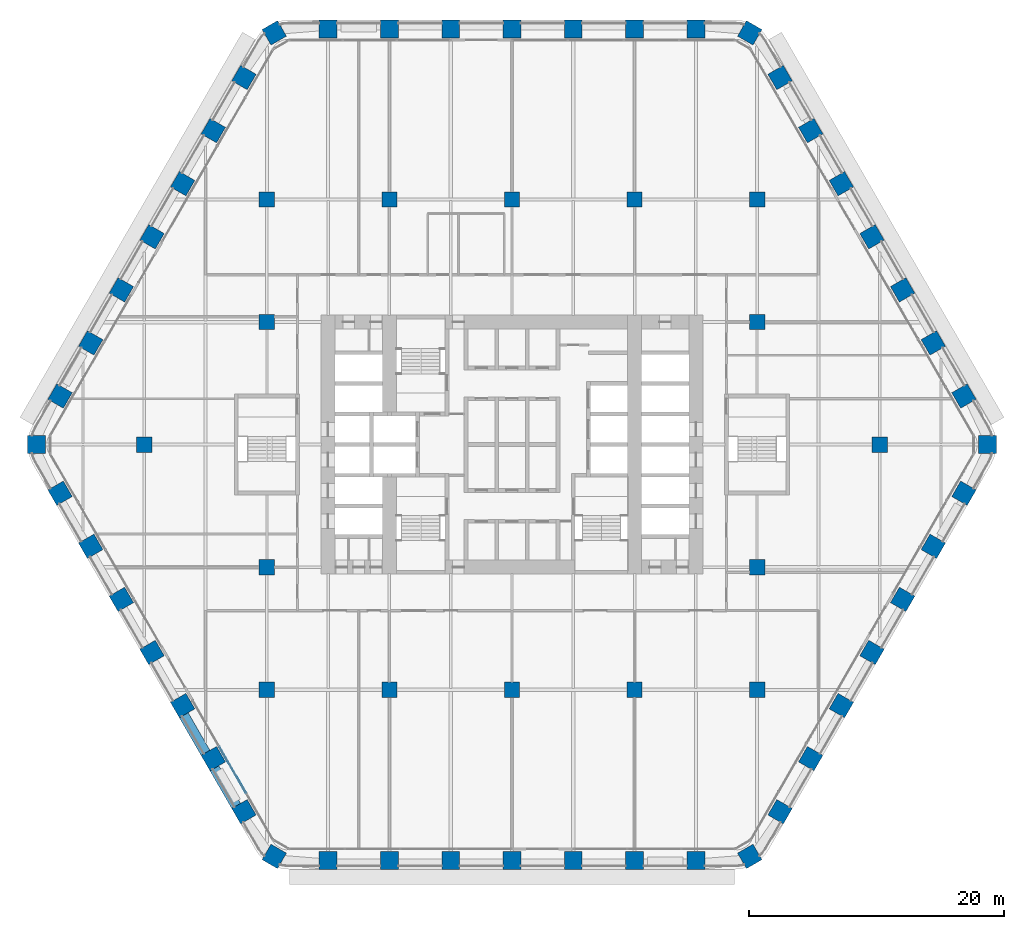
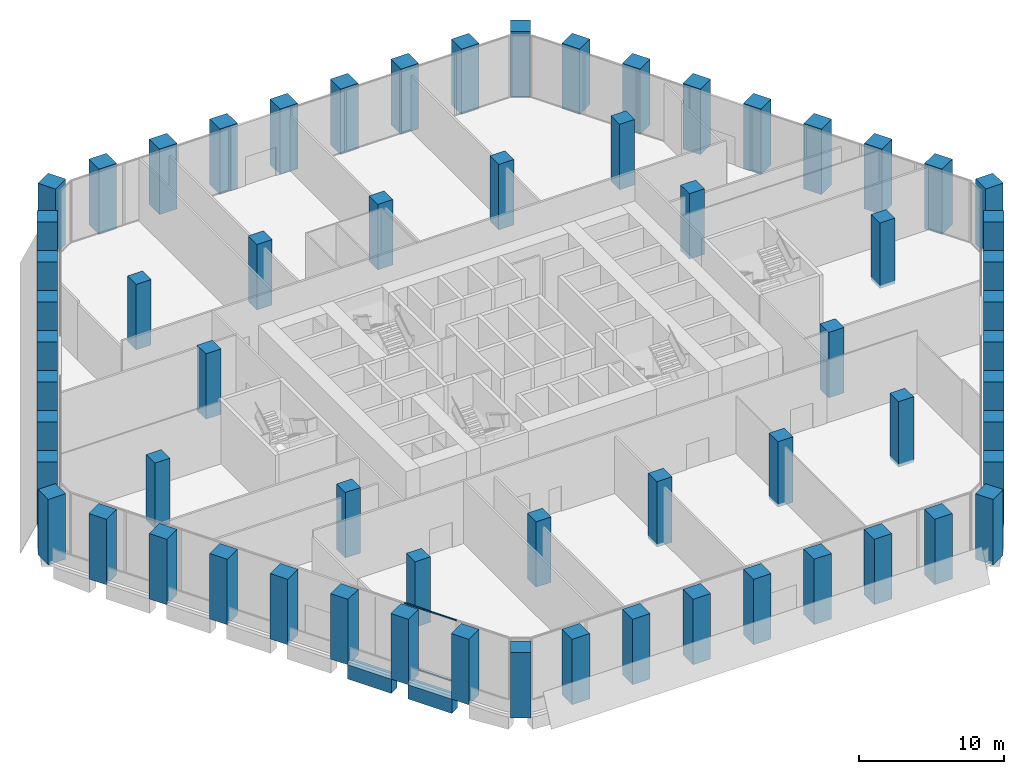
# One storey, part 1 of 27: 64 columns, 2 beams, 2 members, 1 element without a shape of its own.
"""IFC4 building model written with IfcOpenShell, lengths in metres."""

from ifc_helpers import new_model, si_unit, direction, frame, origin, origin_2d, place, context, subcontext, project, spatial, rectangle, extrude, material, material_profile, profile_set, type_object, element, aggregate, save


model = new_model("IFC4")

# Units and contexts
model_context = context("Model", 3, precision=1e-05, world=origin(), true_north=direction((0.0, 1.0)))
body_context = subcontext(model_context, "Body", "Model", "MODEL_VIEW")
ifc_project = project(units=[si_unit("LENGTHUNIT", "METRE"), si_unit("AREAUNIT", "SQUARE_METRE"), si_unit("VOLUMEUNIT", "CUBIC_METRE"), si_unit("PLANEANGLEUNIT", "RADIAN"), si_unit("MASSUNIT", "GRAM", prefix="KILO")], contexts=[model_context])

# Site, building, storey
site_placement = place(None, origin())
site = spatial("IfcSite", under=ifc_project, at=site_placement, CompositionType="ELEMENT")
building_placement = place(site_placement, origin())
building = spatial("IfcBuilding", under=site, at=building_placement, Name="Kolab Exchange Tower", CompositionType="ELEMENT")
storey_placement = place(building_placement, frame((0.0, 0.0, 44.39990234375)))
storey = spatial("IfcBuildingStorey", under=building, at=storey_placement, Name="L08", CompositionType="ELEMENT", Elevation=44.39990234375)

# Columns
ifc_material_1 = material(Name="Concrete C80/95", Category="concrete")
ifc_material_profile_1 = material_profile(ifc_material_1, rectangle(XDim=1.199951171875, YDim=1.199951171875, at=origin_2d()), Name="RC1200")
ifc_profile_set_1 = profile_set([ifc_material_profile_1], Name="Concrete C80/95")
column_type_1 = type_object("IfcColumnType", Name="INTERIOR COLUMN 1200 SQ C80/95", PredefinedType="COLUMN", material=ifc_profile_set_1)
for number, where, z_axis, x_axis, name in (
    (1, (-28.800048828125, 0.0, -0.25), (0.0, 0.0, 1.0), (1.0, 0.0, 0.0), "col/L08/I-G11"),
    (2, (-19.199951171875, -19.199951171875, -0.25), (0.0, 0.0, 1.0), (1.0, 0.0, 0.0), "col/L08/I-I7"),
    (3, (-19.199951171875, -9.60009765625, -0.25), (0.0, 0.0, 1.0), (1.0, 0.0, 0.0), "col/L08/I-I9"),
    (4, (-19.199951171875, 9.60009765625, -0.25), (0.0, 0.0, 1.0), (1.0, 0.0, 0.0), "col/L08/I-I13"),
    (5, (-19.199951171875, 19.199951171875, -0.25), (0.0, 0.0, 1.0), (1.0, 0.0, 0.0), "col/L08/I-I15"),
    (6, (-9.60009765625, -19.199951171875, -0.25), (0.0, 0.0, 1.0), (1.0, 0.0, 0.0), "col/L08/I-K7"),
    (7, (-9.60009765625, 19.199951171875, -0.25), (0.0, 0.0, 1.0), (1.0, 0.0, 0.0), "col/L08/I-K15"),
    (8, (0.0, -19.199951171875, -0.25), (0.0, 0.0, 1.0), (1.0, 0.0, 0.0), "col/L08/I-M7"),
    (9, (0.0, 19.199951171875, -0.25), (0.0, 0.0, 1.0), (1.0, 0.0, 0.0), "col/L08/I-M15"),
    (10, (9.60009765625, -19.199951171875, -0.25), (0.0, 0.0, 1.0), (1.0, 0.0, 0.0), "col/L08/I-O7"),
    (11, (9.60009765625, 19.199951171875, -0.25), (0.0, 0.0, 1.0), (1.0, 0.0, 0.0), "col/L08/I-O15"),
    (12, (19.199951171875, -19.199951171875, -0.25), (0.0, 0.0, 1.0), (1.0, 0.0, 0.0), "col/L08/I-Q7"),
    (13, (19.199951171875, -9.60009765625, -0.25), (0.0, 0.0, 1.0), (1.0, 0.0, 0.0), "col/L08/I-Q9"),
    (14, (19.199951171875, 9.60009765625, -0.25), (0.0, 0.0, 1.0), (1.0, 0.0, 0.0), "col/L08/I-Q13"),
    (15, (19.199951171875, 19.199951171875, -0.25), (0.0, 0.0, 1.0), (1.0, 0.0, 0.0), "col/L08/I-Q15"),
    (16, (28.800048828125, 0.0, -0.25), (0.0, 0.0, 1.0), (1.0, 0.0, 0.0), "col/L08/I-S11"),
):
    element("IfcColumn", number, at=place(storey_placement, frame(where, z_axis=z_axis, x_axis=x_axis)), inside=storey, type_object=column_type_1, Name=name, PredefinedType="COLUMN", context=body_context, shape_type="SweptSolid", body=[
        extrude(rectangle(XDim=1.199951171875, YDim=1.199951171875, at=origin_2d()), origin(), (0.0, 0.0, 1.0), 5.5),
    ])
ifc_material_profile_2 = material_profile(ifc_material_1, rectangle(XDim=1.39990234375, YDim=1.39990234375, at=origin_2d()), Name="RC1400")
ifc_profile_set_2 = profile_set([ifc_material_profile_2], Name="Concrete C80/95")
column_type_2 = type_object("IfcColumnType", Name="PERIMETER COLUMN 1400 SQ C80/95", PredefinedType="COLUMN", material=ifc_profile_set_2)
for number, where, z_axis, x_axis, name in (
    (17, (-18.617919921875, 32.247314453125, -0.25), (0.0, 0.0, 1.0), (0.866025403784, 0.5, 0.0), "col/L08/F1-01"),
    (18, (-14.39990234375, 32.555419921875, -0.25), (0.0, 0.0, 1.0), (1.0, 0.0, 0.0), "col/L08/F1-02"),
    (19, (-9.60009765625, 32.555419921875, -0.25), (0.0, 0.0, 1.0), (1.0, 0.0, 0.0), "col/L08/F1-03"),
    (20, (-4.800048828125, 32.555419921875, -0.25), (0.0, 0.0, 1.0), (1.0, 0.0, 0.0), "col/L08/F1-04"),
    (21, (0.0, 32.555419921875, -0.25), (0.0, 0.0, 1.0), (1.0, 0.0, 0.0), "col/L08/F1-05"),
    (22, (4.800048828125, 32.555419921875, -0.25), (0.0, 0.0, 1.0), (1.0, 0.0, 0.0), "col/L08/F1-06"),
    (23, (9.60009765625, 32.555419921875, -0.25), (0.0, 0.0, 1.0), (1.0, 0.0, 0.0), "col/L08/F1-07"),
    (24, (14.39990234375, 32.555419921875, -0.25), (0.0, 0.0, 1.0), (1.0, 0.0, 0.0), "col/L08/F1-08"),
    (25, (18.617919921875, 32.247314453125, -0.25), (0.0, 0.0, 1.0), (0.5, 0.866025403784, 0.0), "col/L08/F2-01"),
    (26, (20.993896484375, 28.74853515625, -0.25), (0.0, 0.0, 1.0), (0.866025403784, 0.5, 0.0), "col/L08/F2-02"),
    (27, (23.393798828125, 24.591552734375, -0.25), (0.0, 0.0, 1.0), (0.866025403784, 0.5, 0.0), "col/L08/F2-03"),
    (28, (25.793701171875, 20.4345703125, -0.25), (0.0, 0.0, 1.0), (0.866025403784, 0.5, 0.0), "col/L08/F2-04"),
    (29, (28.19384765625, 16.277587890625, -0.25), (0.0, 0.0, 1.0), (0.866025403784, 0.5, 0.0), "col/L08/F2-05"),
    (30, (30.59375, 12.120849609375, -0.25), (0.0, 0.0, 1.0), (0.866025403784, 0.5, 0.0), "col/L08/F2-06"),
    (31, (32.993896484375, 7.9638671875, -0.25), (0.0, 0.0, 1.0), (0.866025403784, 0.5, 0.0), "col/L08/F2-07"),
    (32, (35.393798828125, 3.806884765625, -0.25), (0.0, 0.0, 1.0), (0.866025403784, 0.5, 0.0), "col/L08/F2-08"),
    (33, (37.23583984375, 0.0, -0.25), (0.0, 0.0, 1.0), (1.0, 0.0, 0.0), "col/L08/F3-01"),
    (34, (35.393798828125, -3.806884765625, -0.25), (0.0, 0.0, 1.0), (0.5, 0.866025403784, 0.0), "col/L08/F3-02"),
    (35, (32.993896484375, -7.9638671875, -0.25), (0.0, 0.0, 1.0), (0.5, 0.866025403784, 0.0), "col/L08/F3-03"),
    (36, (30.59375, -12.120849609375, -0.25), (0.0, 0.0, 1.0), (0.5, 0.866025403784, 0.0), "col/L08/F3-04"),
    (37, (28.19384765625, -16.277587890625, -0.25), (0.0, 0.0, 1.0), (0.5, 0.866025403784, 0.0), "col/L08/F3-05"),
    (38, (25.793701171875, -20.4345703125, -0.25), (0.0, 0.0, 1.0), (0.5, 0.866025403784, 0.0), "col/L08/F3-06"),
    (39, (23.393798828125, -24.591552734375, -0.25), (0.0, 0.0, 1.0), (0.5, 0.866025403784, 0.0), "col/L08/F3-07"),
    (40, (20.993896484375, -28.74853515625, -0.25), (0.0, 0.0, 1.0), (0.5, 0.866025403784, 0.0), "col/L08/F3-08"),
    (41, (18.617919921875, -32.247314453125, -0.25), (0.0, 0.0, 1.0), (0.866025403784, 0.5, 0.0), "col/L08/F4-01"),
    (42, (14.39990234375, -32.555419921875, -0.25), (0.0, 0.0, 1.0), (1.0, 0.0, 0.0), "col/L08/F4-02"),
    (43, (9.60009765625, -32.555419921875, -0.25), (0.0, 0.0, 1.0), (1.0, 0.0, 0.0), "col/L08/F4-03"),
    (44, (4.800048828125, -32.555419921875, -0.25), (0.0, 0.0, 1.0), (1.0, 0.0, 0.0), "col/L08/F4-04"),
    (45, (0.0, -32.555419921875, -0.25), (0.0, 0.0, 1.0), (1.0, 0.0, 0.0), "col/L08/F4-05"),
    (46, (-4.800048828125, -32.555419921875, -0.25), (0.0, 0.0, 1.0), (1.0, 0.0, 0.0), "col/L08/F4-06"),
    (47, (-9.60009765625, -32.555419921875, -0.25), (0.0, 0.0, 1.0), (1.0, 0.0, 0.0), "col/L08/F4-07"),
    (48, (-14.39990234375, -32.555419921875, -0.25), (0.0, 0.0, 1.0), (1.0, 0.0, 0.0), "col/L08/F4-08"),
    (49, (-18.617919921875, -32.247314453125, -0.25), (0.0, 0.0, 1.0), (0.5, 0.866025403784, 0.0), "col/L08/F5-01"),
    (50, (-20.993896484375, -28.74853515625, -0.25), (0.0, 0.0, 1.0), (0.866025403784, 0.5, 0.0), "col/L08/F5-02"),
    (51, (-23.393798828125, -24.591552734375, -0.25), (0.0, 0.0, 1.0), (0.866025403784, 0.5, 0.0), "col/L08/F5-03"),
    (52, (-25.793701171875, -20.4345703125, -0.25), (0.0, 0.0, 1.0), (0.866025403784, 0.5, 0.0), "col/L08/F5-04"),
    (53, (-28.19384765625, -16.277587890625, -0.25), (0.0, 0.0, 1.0), (0.866025403784, 0.5, 0.0), "col/L08/F5-05"),
    (54, (-30.59375, -12.120849609375, -0.25), (0.0, 0.0, 1.0), (0.866025403784, 0.5, 0.0), "col/L08/F5-06"),
    (55, (-32.993896484375, -7.9638671875, -0.25), (0.0, 0.0, 1.0), (0.866025403784, 0.5, 0.0), "col/L08/F5-07"),
    (56, (-35.393798828125, -3.806884765625, -0.25), (0.0, 0.0, 1.0), (0.866025403784, 0.5, 0.0), "col/L08/F5-08"),
    (57, (-37.23583984375, 0.0, -0.25), (0.0, 0.0, 1.0), (1.0, 0.0, 0.0), "col/L08/F6-01"),
    (58, (-35.393798828125, 3.806884765625, -0.25), (0.0, 0.0, 1.0), (0.5, 0.866025403784, 0.0), "col/L08/F6-02"),
    (59, (-32.993896484375, 7.9638671875, -0.25), (0.0, 0.0, 1.0), (0.5, 0.866025403784, 0.0), "col/L08/F6-03"),
    (60, (-30.59375, 12.120849609375, -0.25), (0.0, 0.0, 1.0), (0.5, 0.866025403784, 0.0), "col/L08/F6-04"),
    (61, (-28.19384765625, 16.277587890625, -0.25), (0.0, 0.0, 1.0), (0.5, 0.866025403784, 0.0), "col/L08/F6-05"),
    (62, (-25.793701171875, 20.4345703125, -0.25), (0.0, 0.0, 1.0), (0.5, 0.866025403784, 0.0), "col/L08/F6-06"),
    (63, (-23.393798828125, 24.591552734375, -0.25), (0.0, 0.0, 1.0), (0.5, 0.866025403784, 0.0), "col/L08/F6-07"),
    (64, (-20.993896484375, 28.74853515625, -0.25), (0.0, 0.0, 1.0), (0.5, 0.866025403784, 0.0), "col/L08/F6-08"),
):
    element("IfcColumn", number, at=place(storey_placement, frame(where, z_axis=z_axis, x_axis=x_axis)), inside=storey, type_object=column_type_2, Name=name, PredefinedType="COLUMN", context=body_context, shape_type="SweptSolid", body=[
        extrude(rectangle(XDim=1.39990234375, YDim=1.39990234375, at=origin_2d()), origin(), (0.0, 0.0, 1.0), 5.5),
    ])

# Beams
ifc_material_profile_3 = material_profile(ifc_material_1, rectangle(XDim=0.800048828125, YDim=1.199951171875, at=origin_2d()), Name="RC800X1200")
ifc_profile_set_3 = profile_set([ifc_material_profile_3], Name="Concrete C80/95")
beam_type = type_object("IfcBeamType", Name="SPANDREL BEAM 800X1200 C80/95", PredefinedType="BEAM", material=ifc_profile_set_3)
beam_1_placement = place(storey_placement, frame((-21.58349609375, -28.326904296875, -0.849853515625), z_axis=(-0.499979528911, 0.866037222451, 0.0), x_axis=(-0.866037222451, -0.499979528911, 0.0)))
element("IfcBeam", 65, at=beam_1_placement, inside=storey, type_object=beam_type, Name="beam/L08/sp/F5-02", PredefinedType="BEAM", context=body_context, shape_type="SweptSolid", body=[
    extrude(rectangle(XDim=0.800048828125, YDim=1.199951171875, at=origin_2d()), origin(), (0.0, 0.0, 1.0), 3.480224609375),
])
beam_2_placement = place(storey_placement, frame((-23.983642578125, -24.169921875, -0.849853515625), z_axis=(-0.500009906705, 0.86601968407, 0.0), x_axis=(-0.86601968407, -0.500009906705, 0.0)))
element("IfcBeam", 66, at=beam_2_placement, inside=storey, type_object=beam_type, Name="beam/L08/sp/F5-03", PredefinedType="BEAM", context=body_context, shape_type="SweptSolid", body=[
    extrude(rectangle(XDim=0.800048828125, YDim=1.199951171875, at=origin_2d()), origin(), (0.0, 0.0, 1.0), 3.47998046875),
])

# Curtain wall, members
ifc_material_2 = material(Name="Aluminium EN AW-6063 T6", Category="aluminium")
curtain_wall_type = type_object("IfcCurtainWallType", Name="UNITISED LOW ZONE CURTAIN WALL", PredefinedType="NOTDEFINED", material=ifc_material_2)
curtain_wall_placement = place(storey_placement, origin())
curtain_wall = element("IfcCurtainWall", 67, at=curtain_wall_placement, inside=storey, type_object=curtain_wall_type, Name="cw/L08/F5-1", PredefinedType="NOTDEFINED")
ifc_material_profile_4 = material_profile(ifc_material_2, rectangle(XDim=0.06005859375, YDim=0.10009765625, at=origin_2d()), Name="RECT 60X100")
ifc_profile_set_4 = profile_set([ifc_material_profile_4], Name="Aluminium EN AW-6063 T6")
member_type = type_object("IfcMemberType", Name="UNITISED LOW ZONE TRANSOM 60 X 100", PredefinedType="USERDEFINED", material=ifc_profile_set_4)
member_1_placement = place(storey_placement, frame((-20.823974609375, -27.282470703125, 0.030029296875), z_axis=(-0.49999322259, 0.866029316688, 0.0), x_axis=(-0.866029316688, -0.49999322259, 0.0)))
member_1 = element("IfcMember", 68, at=member_1_placement, type_object=member_type, Name="CW1 transom 2.1", ObjectType="TRANSOM", PredefinedType="USERDEFINED", context=body_context, shape_type="SweptSolid", body=[
    extrude(rectangle(XDim=0.06005859375, YDim=0.10009765625, at=origin_2d()), origin(), (0.0, 0.0, 1.0), 4.16259765625),
])
member_2_placement = place(storey_placement, frame((-20.823974609375, -27.282470703125, 5.22021484375), z_axis=(-0.49999322259, 0.866029316688, 0.0), x_axis=(-0.866029316688, -0.49999322259, 0.0)))
member_2 = element("IfcMember", 69, at=member_2_placement, type_object=member_type, Name="CW1 transom 2.2", ObjectType="TRANSOM", PredefinedType="USERDEFINED", context=body_context, shape_type="SweptSolid", body=[
    extrude(rectangle(XDim=0.06005859375, YDim=0.10009765625, at=origin_2d()), origin(), (0.0, 0.0, 1.0), 4.16259765625),
])
aggregate(curtain_wall, [member_1, member_2])

save(model, "model.ifc")
